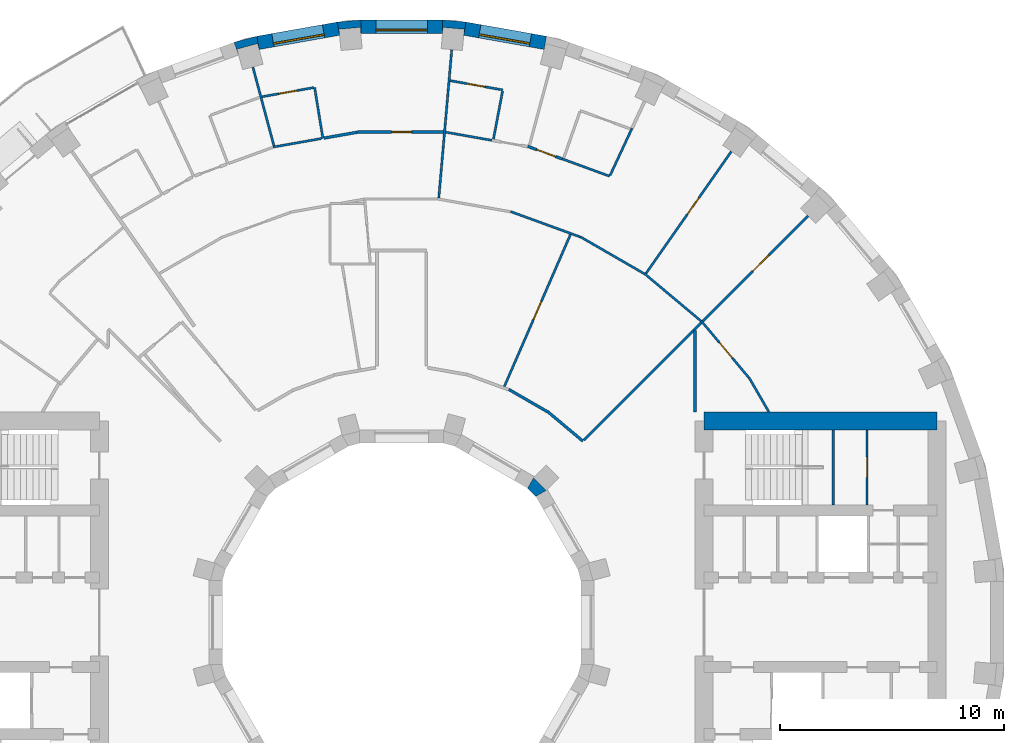
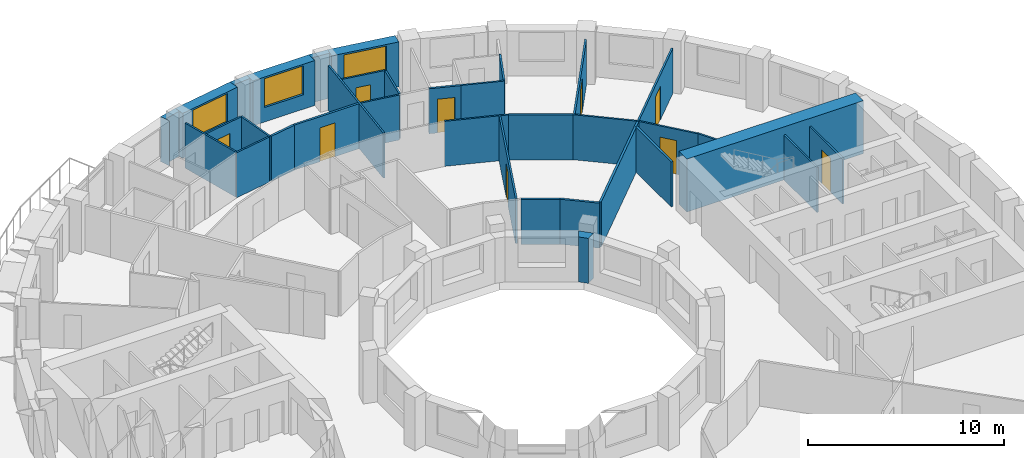
# One storey, part 12 of 14: 35 walls, 9 doors, 3 windows, 12 openings.
"""IFC4 building model written with IfcOpenShell, lengths in metres."""

from ifc_helpers import new_model, si_unit, direction, frame, frame_2d, origin, place, context, subcontext, project, spatial, polyline, rectangle, outline, extrude, material, layer, layer_set, type_object, element, fill, save


model = new_model("IFC4")

# Units and contexts
model_context = context("Model", 3, precision=1e-05, world=origin(), true_north=direction((0.0, 1.0)))
body_context = subcontext(model_context, "Body", "Model", "MODEL_VIEW")
ifc_project = project(units=[si_unit("LENGTHUNIT", "METRE"), si_unit("AREAUNIT", "SQUARE_METRE"), si_unit("VOLUMEUNIT", "CUBIC_METRE"), si_unit("PLANEANGLEUNIT", "RADIAN"), si_unit("MASSUNIT", "GRAM", prefix="KILO")], contexts=[model_context])

# Site, building, storey
site_placement = place(None, origin())
site = spatial("IfcSite", under=ifc_project, at=site_placement, CompositionType="ELEMENT")
building_placement = place(site_placement, origin())
building = spatial("IfcBuilding", under=site, at=building_placement, Name="Saqina Gate Tower", CompositionType="ELEMENT")
storey_placement = place(building_placement, frame((0.0, 0.0, 101.800048828125)))
storey = spatial("IfcBuildingStorey", under=building, at=storey_placement, Name="L28", CompositionType="ELEMENT", Elevation=101.800048828125)

# Walls
ifc_material_1 = material(Name="Brick masonry (buff)", Category="masonry")
wall_type_1 = type_object("IfcWallType", Name="BRICK PIER COPING BUFF", PredefinedType="SOLIDWALL", material=ifc_material_1)
wall_1_placement = place(storey_placement, origin())
element("IfcWall", 1, at=wall_1_placement, inside=storey, type_object=wall_type_1, Name="Pier cap L28 column 9", PredefinedType="SOLIDWALL", context=body_context, shape_type="SweptSolid", body=[
    extrude(outline(polyline([(2.87451171875, 26.805419921875), (1.823974609375, 26.897216796875), (1.823974609375, 26.29736328125), (1.847412109375, 26.565185546875), (2.793701171875, 26.482421875), (2.770263671875, 26.214599609375), (2.87451171875, 26.805419921875)])), origin(), (0.0, 0.0, 1.0), 2.800048828125),
])
wall_2_placement = place(storey_placement, origin())
element("IfcWall", 2, at=wall_2_placement, inside=storey, type_object=wall_type_1, Name="Pier cap L28 column 10", PredefinedType="SOLIDWALL", context=body_context, shape_type="SweptSolid", body=[
    extrude(outline(polyline([(-2.87451171875, 26.805419921875), (-2.770263671875, 26.214599609375), (-2.793701171875, 26.482421875), (-1.847412109375, 26.565185546875), (-1.823974609375, 26.29736328125), (-1.823974609375, 26.897216796875), (-2.87451171875, 26.805419921875)])), origin(), (0.0, 0.0, 1.0), 2.800048828125),
])
wall_3_placement = place(storey_placement, origin())
element("IfcWall", 3, at=wall_3_placement, inside=storey, type_object=wall_type_1, Name="Pier cap L28 column 11", PredefinedType="SOLIDWALL", context=body_context, shape_type="SweptSolid", body=[
    extrude(outline(polyline([(-6.466796875, 26.171875), (-7.485595703125, 25.89892578125), (-7.2802734375, 25.335205078125), (-7.349853515625, 25.5947265625), (-6.43212890625, 25.8408203125), (-6.36279296875, 25.5810546875), (-6.466796875, 26.171875)])), origin(), (0.0, 0.0, 1.0), 2.800048828125),
])

# Wall, opening, door
ifc_material_2 = material(Name="Gypsum board on steel studs", Category="steel")
ifc_layer_1 = layer(ifc_material_2, 0.10009765625)
ifc_layer_set_1 = layer_set([ifc_layer_1], Name="CORE PARTITION")
wall_type_2 = type_object("IfcWallType", Name="CORE PARTITION", PredefinedType="PARTITIONING", material=ifc_layer_set_1)
wall_4_placement = place(storey_placement, frame((20.782958984375, 5.25, 0.0), z_axis=(0.0, 0.0, 1.0), x_axis=(0.0, 1.0, 0.0)))
wall_4 = element("IfcWall", 4, at=wall_4_placement, inside=storey, type_object=wall_type_2, Name="L28-CP-E14", PredefinedType="PARTITIONING", context=body_context, shape_type="SweptSolid", body=[
    extrude(rectangle(XDim=3.35009765625, YDim=0.10009765625, at=frame_2d((1.675048828125, 0.0))), origin(), (0.0, 0.0, 1.0), 2.800048828125),
])
opening_1_placement = place(wall_4_placement, frame((1.22509765625, 0.0, 0.0)))
opening_1 = element("IfcOpeningElement", 5, at=opening_1_placement, cuts=wall_4, Name="Opening G08-D100", PredefinedType="OPENING", context=body_context, shape_type="SweptSolid", body=[
    extrude(rectangle(XDim=0.89990234375, YDim=2.10009765625, at=frame_2d((0.449951171875, 1.050048828125))), frame((0.0, 0.06201171875, 0.0), z_axis=(0.0, -1.0, 0.0), x_axis=(1.0, 0.0, 0.0)), (0.0, 0.0, 1.0), 0.1240234375),
])
ifc_material_3 = material(Name="Steel-framed fire door leaf, EI 60", Category="steel")
door_type_1 = type_object("IfcDoorType", Name="SERVICE ROOM DOOR 900", OperationType="SINGLE_SWING_LEFT", PredefinedType="DOOR", material=ifc_material_3)
door_1_placement = place(opening_1_placement, frame((0.89990234375, 0.0, 0.0), z_axis=(0.0, 0.0, 1.0), x_axis=(-1.0, 0.0, 0.0)))
door_1 = element("IfcDoor", 6, at=door_1_placement, inside=storey, type_object=door_type_1, Name="L28-CD-E11", OperationType="SINGLE_SWING_LEFT", OverallHeight=2.10009765625, OverallWidth=0.89990234375, PredefinedType="DOOR", context=body_context, shape_type="SweptSolid", body=[
    extrude(rectangle(XDim=0.89990234375, YDim=2.10009765625, at=frame_2d((0.449951171875, 1.050048828125))), frame((0.0, 0.02490234375, 0.0), z_axis=(0.0, -1.0, 0.0), x_axis=(1.0, 0.0, 0.0)), (0.0, 0.0, 1.0), 0.050048828125),
])
fill(opening_1, door_1)

# Wall, opening, window
ifc_material_4 = material(Name="Brick masonry (buff)", Category="masonry")
ifc_layer_2 = layer(ifc_material_4, 0.60009765625)
ifc_layer_set_2 = layer_set([ifc_layer_2], Name="FW-BRICK-BUFF")
wall_type_3 = type_object("IfcWallType", Name="FW-BRICK-BUFF", PredefinedType="SOLIDWALL", material=ifc_layer_set_2)
wall_5_placement = place(storey_placement, frame((6.414794921875, 25.87646484375, 0.0), z_axis=(0.0, 0.0, 1.0), x_axis=(-0.984803764455, 0.173670796382, 0.0)))
wall_5 = element("IfcWall", 7, at=wall_5_placement, inside=storey, type_object=wall_type_3, Name="Facade wall L28 facet 8", PredefinedType="SOLIDWALL", context=body_context, shape_type="SweptSolid", body=[
    extrude(rectangle(XDim=3.64794921875, YDim=0.60009765625, at=frame_2d((1.823974609375, 0.0))), origin(), (0.0, 0.0, 1.0), 2.800048828125),
])
opening_2_placement = place(wall_5_placement, frame((0.673828125, 0.0, 0.89990234375)))
opening_2 = element("IfcOpeningElement", 8, at=opening_2_placement, cuts=wall_5, Name="Opening G08-W06", PredefinedType="OPENING", context=body_context, shape_type="SweptSolid", body=[
    extrude(rectangle(XDim=2.300048828125, YDim=1.800048828125, at=frame_2d((1.14990234375, 0.89990234375))), frame((0.0, 0.31201171875, 0.0), z_axis=(0.0, -1.0, 0.0), x_axis=(1.0, 0.0, 0.0)), (0.0, 0.0, 1.0), 0.6240234375),
])
ifc_material_5 = material(Name="Aluminium glazing", Category="aluminium")
window_type = type_object("IfcWindowType", Name="WN-B", PartitioningType="SINGLE_PANEL", PredefinedType="WINDOW", material=ifc_material_5)
window_1_placement = place(opening_2_placement, origin())
window_1 = element("IfcWindow", 9, at=window_1_placement, inside=storey, type_object=window_type, Name="Window L28 facet 8", OverallHeight=1.800048828125, OverallWidth=2.300048828125, PartitioningType="SINGLE_PANEL", PredefinedType="WINDOW", context=body_context, shape_type="SweptSolid", body=[
    extrude(rectangle(XDim=2.300048828125, YDim=1.800048828125, at=frame_2d((1.14990234375, 0.89990234375))), frame((0.0, 0.179931640625, 0.0), z_axis=(0.0, -1.0, 0.0), x_axis=(1.0, 0.0, 0.0)), (0.0, 0.0, 1.0), 0.06005859375),
])
fill(opening_2, window_1)

wall_6_placement = place(storey_placement, frame((1.823974609375, 26.59716796875, 0.0), z_axis=(0.0, 0.0, 1.0), x_axis=(-1.0, 0.0, 0.0)))
wall_6 = element("IfcWall", 10, at=wall_6_placement, inside=storey, type_object=wall_type_3, Name="Facade wall L28 facet 9", PredefinedType="SOLIDWALL", context=body_context, shape_type="SweptSolid", body=[
    extrude(rectangle(XDim=3.64794921875, YDim=0.60009765625, at=frame_2d((1.823974609375, 0.0))), origin(), (0.0, 0.0, 1.0), 2.800048828125),
])
opening_3_placement = place(wall_6_placement, frame((0.673828125, 0.0, 0.89990234375)))
opening_3 = element("IfcOpeningElement", 11, at=opening_3_placement, cuts=wall_6, Name="Opening G08-W07", PredefinedType="OPENING", context=body_context, shape_type="SweptSolid", body=[
    extrude(rectangle(XDim=2.300048828125, YDim=1.800048828125, at=frame_2d((1.14990234375, 0.89990234375))), frame((0.0, 0.31201171875, 0.0), z_axis=(0.0, -1.0, 0.0), x_axis=(1.0, 0.0, 0.0)), (0.0, 0.0, 1.0), 0.6240234375),
])
window_2_placement = place(opening_3_placement, origin())
window_2 = element("IfcWindow", 12, at=window_2_placement, inside=storey, type_object=window_type, Name="Window L28 facet 9", OverallHeight=1.800048828125, OverallWidth=2.300048828125, PartitioningType="SINGLE_PANEL", PredefinedType="WINDOW", context=body_context, shape_type="SweptSolid", body=[
    extrude(rectangle(XDim=2.300048828125, YDim=1.800048828125, at=frame_2d((1.14990234375, 0.89990234375))), frame((0.0, 0.179931640625, 0.0), z_axis=(0.0, -1.0, 0.0), x_axis=(1.0, 0.0, 0.0)), (0.0, 0.0, 1.0), 0.06005859375),
])
fill(opening_3, window_2)

wall_7_placement = place(storey_placement, frame((-2.822265625, 26.510009765625, 0.0), z_axis=(0.0, 0.0, 1.0), x_axis=(-0.984803764455, -0.173670796382, 0.0)))
wall_7 = element("IfcWall", 13, at=wall_7_placement, inside=storey, type_object=wall_type_3, Name="Facade wall L28 facet 10", PredefinedType="SOLIDWALL", context=body_context, shape_type="SweptSolid", body=[
    extrude(rectangle(XDim=3.64794921875, YDim=0.60009765625, at=frame_2d((1.823974609375, 0.0))), origin(), (0.0, 0.0, 1.0), 2.800048828125),
])
opening_4_placement = place(wall_7_placement, frame((0.673828125, 0.0, 0.89990234375)))
opening_4 = element("IfcOpeningElement", 14, at=opening_4_placement, cuts=wall_7, Name="Opening G08-W08", PredefinedType="OPENING", context=body_context, shape_type="SweptSolid", body=[
    extrude(rectangle(XDim=2.300048828125, YDim=1.800048828125, at=frame_2d((1.14990234375, 0.89990234375))), frame((0.0, 0.31201171875, 0.0), z_axis=(0.0, -1.0, 0.0), x_axis=(1.0, 0.0, 0.0)), (0.0, 0.0, 1.0), 0.6240234375),
])
window_3_placement = place(opening_4_placement, origin())
window_3 = element("IfcWindow", 15, at=window_3_placement, inside=storey, type_object=window_type, Name="Window L28 facet 10", OverallHeight=1.800048828125, OverallWidth=2.300048828125, PartitioningType="SINGLE_PANEL", PredefinedType="WINDOW", context=body_context, shape_type="SweptSolid", body=[
    extrude(rectangle(XDim=2.300048828125, YDim=1.800048828125, at=frame_2d((1.14990234375, 0.89990234375))), frame((0.0, 0.179931640625, 0.0), z_axis=(0.0, -1.0, 0.0), x_axis=(1.0, 0.0, 0.0)), (0.0, 0.0, 1.0), 0.06005859375),
])
fill(opening_4, window_3)

# Walls
ifc_material_6 = material(Name="Gypsum board on steel studs, 100 mm", Category="steel")
ifc_layer_3 = layer(ifc_material_6, 0.10009765625)
ifc_layer_set_3 = layer_set([ifc_layer_3], Name="PARTITION 100")
wall_type_4 = type_object("IfcWallType", Name="PARTITION 100", PredefinedType="PARTITIONING", material=ifc_layer_set_3)
wall_8_placement = place(storey_placement, frame((-3.886962890625, 23.885009765625, 0.0), z_axis=(0.0, 0.0, 1.0), x_axis=(0.160403826344, -0.987051474085, 0.0)))
element("IfcWall", 16, at=wall_8_placement, inside=storey, type_object=wall_type_4, Name="PARTITION PW3-03", PredefinedType="PARTITIONING", context=body_context, shape_type="SweptSolid", body=[
    extrude(rectangle(XDim=2.2998046875, YDim=0.10009765625, at=frame_2d((1.14990234375, 0.0))), origin(), (0.0, 0.0, 1.0), 2.800048828125),
])
wall_9_placement = place(storey_placement, frame((-6.642333984375, 24.79052734375, 0.0), z_axis=(0.0, 0.0, 1.0), x_axis=(0.258373404153, -0.966045125254, 0.0)))
element("IfcWall", 17, at=wall_9_placement, inside=storey, type_object=wall_type_4, Name="PARTITION PW3-07", PredefinedType="PARTITIONING", context=body_context, shape_type="SweptSolid", body=[
    extrude(rectangle(XDim=3.634033203125, YDim=0.10009765625, at=frame_2d((1.81689453125, 0.0))), origin(), (0.0, 0.0, 1.0), 2.800048828125),
])
wall_10_placement = place(storey_placement, frame((15.5146484375, 10.925048828125, 0.0), z_axis=(0.0, 0.0, 1.0), x_axis=(0.500277597875, -0.865865073245, 0.0)))
element("IfcWall", 18, at=wall_10_placement, inside=storey, type_object=wall_type_4, Name="PARTITION PW3-16", PredefinedType="PARTITIONING", context=body_context, shape_type="SweptSolid", body=[
    extrude(rectangle(XDim=1.763671875, YDim=0.10009765625, at=frame_2d((0.8818359375, 0.0))), origin(), (0.0, 0.0, 1.0), 2.800048828125),
])

# Wall, opening, door
wall_11_placement = place(storey_placement, frame((13.38232421875, 13.453857421875, 0.0), z_axis=(0.0, 0.0, 1.0), x_axis=(0.642584306873, -0.766214988473, 0.0)))
wall_11 = element("IfcWall", 19, at=wall_11_placement, inside=storey, type_object=wall_type_4, Name="PARTITION PW3-20", PredefinedType="PARTITIONING", context=body_context, shape_type="SweptSolid", body=[
    extrude(rectangle(XDim=3.3076171875, YDim=0.10009765625, at=frame_2d((1.65380859375, 0.0))), origin(), (0.0, 0.0, 1.0), 2.800048828125),
])
opening_5_placement = place(wall_11_placement, frame((1.25439453125, 0.0, 0.0)))
opening_5 = element("IfcOpeningElement", 20, at=opening_5_placement, cuts=wall_11, Name="Opening G08-D01", PredefinedType="OPENING", context=body_context, shape_type="SweptSolid", body=[
    extrude(rectangle(XDim=0.89990234375, YDim=2.10009765625, at=frame_2d((0.449951171875, 1.050048828125))), frame((0.0, 0.06201171875, 0.0), z_axis=(0.0, -1.0, 0.0), x_axis=(1.0, 0.0, 0.0)), (0.0, 0.0, 1.0), 0.1240234375),
])
ifc_material_7 = material(Name="Timber door leaf, 900 mm", Category="wood")
door_type_2 = type_object("IfcDoorType", Name="DOOR 900 TIMBER", OperationType="SINGLE_SWING_LEFT", PredefinedType="DOOR", material=ifc_material_7)
door_2_placement = place(opening_5_placement, origin())
door_2 = element("IfcDoor", 21, at=door_2_placement, inside=storey, type_object=door_type_2, Name="DOOR G08-D01", OperationType="SINGLE_SWING_RIGHT", OverallHeight=2.10009765625, OverallWidth=0.89990234375, PredefinedType="DOOR", context=body_context, shape_type="SweptSolid", body=[
    extrude(rectangle(XDim=0.89990234375, YDim=2.10009765625, at=frame_2d((0.449951171875, 1.050048828125))), frame((0.0, 0.02490234375, 0.0), z_axis=(0.0, -1.0, 0.0), x_axis=(1.0, 0.0, 0.0)), (0.0, 0.0, 1.0), 0.050048828125),
])
fill(opening_5, door_2)

# Walls
wall_12_placement = place(storey_placement, frame((10.842041015625, 15.572509765625, 0.0), z_axis=(0.0, 0.0, 1.0), x_axis=(0.76624546285, -0.642547967595, 0.0)))
element("IfcWall", 22, at=wall_12_placement, inside=storey, type_object=wall_type_4, Name="PARTITION PW3-26", PredefinedType="PARTITIONING", context=body_context, shape_type="SweptSolid", body=[
    extrude(rectangle(XDim=3.307861328125, YDim=0.10009765625, at=frame_2d((1.65380859375, 0.0))), origin(), (0.0, 0.0, 1.0), 2.800048828125),
])
wall_13_placement = place(storey_placement, frame((7.97412109375, 17.219482421875, 0.0), z_axis=(0.0, 0.0, 1.0), x_axis=(0.865857256379, -0.500291126821, 0.0)))
element("IfcWall", 23, at=wall_13_placement, inside=storey, type_object=wall_type_4, Name="PARTITION PW3-31", PredefinedType="PARTITIONING", context=body_context, shape_type="SweptSolid", body=[
    extrude(rectangle(XDim=3.30712890625, YDim=0.10009765625, at=frame_2d((1.653564453125, 0.0))), origin(), (0.0, 0.0, 1.0), 2.800048828125),
])
wall_14_placement = place(storey_placement, frame((7.171630859375, 20.69482421875, 0.0), z_axis=(0.0, 0.0, 1.0), x_axis=(0.939171474452, -0.343448601069, 0.0)))
element("IfcWall", 24, at=wall_14_placement, inside=storey, type_object=wall_type_4, Name="PARTITION PW3-32", PredefinedType="PARTITIONING", context=body_context, shape_type="SweptSolid", body=[
    extrude(rectangle(XDim=2.251953125, YDim=0.10009765625, at=frame_2d((1.1259765625, 0.0))), origin(), (0.0, 0.0, 1.0), 2.800048828125),
])
wall_15_placement = place(storey_placement, frame((4.862548828125, 18.34375, 0.0), z_axis=(0.0, 0.0, 1.0), x_axis=(0.939551875713, -0.342406589955, 0.0)))
element("IfcWall", 25, at=wall_15_placement, inside=storey, type_object=wall_type_4, Name="PARTITION PW3-35", PredefinedType="PARTITIONING", context=body_context, shape_type="SweptSolid", body=[
    extrude(rectangle(XDim=3.308349609375, YDim=0.10009765625, at=frame_2d((1.654296875, 0.0))), origin(), (0.0, 0.0, 1.0), 2.800048828125),
])
wall_16_placement = place(storey_placement, frame((1.96533203125, 21.888427734375, 0.0), z_axis=(0.0, 0.0, 1.0), x_axis=(0.984784733711, -0.173778676048, 0.0)))
element("IfcWall", 26, at=wall_16_placement, inside=storey, type_object=wall_type_4, Name="PARTITION PW3-40", PredefinedType="PARTITIONING", context=body_context, shape_type="SweptSolid", body=[
    extrude(rectangle(XDim=2.091796875, YDim=0.10009765625, at=frame_2d((1.0458984375, 0.0))), origin(), (0.0, 0.0, 1.0), 2.800048828125),
])

# Wall, opening, door
wall_17_placement = place(storey_placement, frame((2.166259765625, 24.188232421875, 0.0), z_axis=(0.0, 0.0, 1.0), x_axis=(0.984810328334, -0.173633571655, 0.0)))
wall_17 = element("IfcWall", 27, at=wall_17_placement, inside=storey, type_object=wall_type_4, Name="PARTITION PW3-41", PredefinedType="PARTITIONING", context=body_context, shape_type="SweptSolid", body=[
    extrude(rectangle(XDim=2.385986328125, YDim=0.10009765625, at=frame_2d((1.19287109375, 0.0))), origin(), (0.0, 0.0, 1.0), 2.800048828125),
])
opening_6_placement = place(wall_17_placement, frame((0.76806640625, 0.0, 0.0)))
opening_6 = element("IfcOpeningElement", 28, at=opening_6_placement, cuts=wall_17, Name="Opening G08-D08", PredefinedType="OPENING", context=body_context, shape_type="SweptSolid", body=[
    extrude(rectangle(XDim=0.800048828125, YDim=2.10009765625, at=frame_2d((0.39990234375, 1.050048828125))), frame((0.0, 0.06201171875, 0.0), z_axis=(0.0, -1.0, 0.0), x_axis=(1.0, 0.0, 0.0)), (0.0, 0.0, 1.0), 0.1240234375),
])
ifc_material_8 = material(Name="Timber door leaf, 800 mm", Category="wood")
door_type_3 = type_object("IfcDoorType", Name="DOOR 800 TIMBER", OperationType="SINGLE_SWING_LEFT", PredefinedType="DOOR", material=ifc_material_8)
door_3_placement = place(opening_6_placement, origin())
door_3 = element("IfcDoor", 29, at=door_3_placement, inside=storey, type_object=door_type_3, Name="DOOR G08-D08", OperationType="SINGLE_SWING_LEFT", OverallHeight=2.10009765625, OverallWidth=0.800048828125, PredefinedType="DOOR", context=body_context, shape_type="SweptSolid", body=[
    extrude(rectangle(XDim=0.800048828125, YDim=2.10009765625, at=frame_2d((0.39990234375, 1.050048828125))), frame((0.0, 0.02490234375, 0.0), z_axis=(0.0, -1.0, 0.0), x_axis=(1.0, 0.0, 0.0)), (0.0, 0.0, 1.0), 0.050048828125),
])
fill(opening_6, door_3)

# Wall
wall_18_placement = place(storey_placement, frame((-5.739013671875, 21.22314453125, 0.0), z_axis=(0.0, 0.0, 1.0), x_axis=(0.984781317039, 0.173798036845, 0.0)))
element("IfcWall", 30, at=wall_18_placement, inside=storey, type_object=wall_type_4, Name="PARTITION PW3-52", PredefinedType="PARTITIONING", context=body_context, shape_type="SweptSolid", body=[
    extrude(rectangle(XDim=2.19287109375, YDim=0.10009765625, at=frame_2d((1.096435546875, 0.0))), origin(), (0.0, 0.0, 1.0), 2.800048828125),
])

# Wall, opening, door
wall_19_placement = place(storey_placement, frame((-6.23779296875, 23.470703125, 0.0), z_axis=(0.0, 0.0, 1.0), x_axis=(0.984817208654, 0.173594543518, 0.0)))
wall_19 = element("IfcWall", 31, at=wall_19_placement, inside=storey, type_object=wall_type_4, Name="PARTITION PW3-53", PredefinedType="PARTITIONING", context=body_context, shape_type="SweptSolid", body=[
    extrude(rectangle(XDim=2.3359375, YDim=0.10009765625, at=frame_2d((1.16796875, 0.0))), origin(), (0.0, 0.0, 1.0), 2.800048828125),
])
opening_7_placement = place(wall_19_placement, frame((0.767578125, 0.0, 0.0)))
opening_7 = element("IfcOpeningElement", 32, at=opening_7_placement, cuts=wall_19, Name="Opening G08-D12", PredefinedType="OPENING", context=body_context, shape_type="SweptSolid", body=[
    extrude(rectangle(XDim=0.800048828125, YDim=2.10009765625, at=frame_2d((0.39990234375, 1.050048828125))), frame((0.0, 0.06201171875, 0.0), z_axis=(0.0, -1.0, 0.0), x_axis=(1.0, 0.0, 0.0)), (0.0, 0.0, 1.0), 0.1240234375),
])
door_4_placement = place(opening_7_placement, origin())
door_4 = element("IfcDoor", 33, at=door_4_placement, inside=storey, type_object=door_type_3, Name="DOOR G08-D12", OperationType="SINGLE_SWING_LEFT", OverallHeight=2.10009765625, OverallWidth=0.800048828125, PredefinedType="DOOR", context=body_context, shape_type="SweptSolid", body=[
    extrude(rectangle(XDim=0.800048828125, YDim=2.10009765625, at=frame_2d((0.39990234375, 1.050048828125))), frame((0.0, 0.02490234375, 0.0), z_axis=(0.0, -1.0, 0.0), x_axis=(1.0, 0.0, 0.0)), (0.0, 0.0, 1.0), 0.050048828125),
])
fill(opening_7, door_4)

wall_20_placement = place(storey_placement, frame((13.450439453125, 13.450439453125, 0.0), z_axis=(0.0, 0.0, 1.0), x_axis=(0.707106781187, 0.707106781187, 0.0)))
wall_20 = element("IfcWall", 34, at=wall_20_placement, inside=storey, type_object=wall_type_4, Name="PARTITION PW3-72", PredefinedType="PARTITIONING", context=body_context, shape_type="SweptSolid", body=[
    extrude(rectangle(XDim=6.643310546875, YDim=0.10009765625, at=frame_2d((3.32177734375, 0.0))), origin(), (0.0, 0.0, 1.0), 2.800048828125),
])
opening_8_placement = place(wall_20_placement, frame((3.163818359375, 0.0, 0.0)))
opening_8 = element("IfcOpeningElement", 35, at=opening_8_placement, cuts=wall_20, Name="Opening G08-D02", PredefinedType="OPENING", context=body_context, shape_type="SweptSolid", body=[
    extrude(rectangle(XDim=1.0, YDim=2.10009765625, at=frame_2d((0.5, 1.050048828125))), frame((0.0, 0.06201171875, 0.0), z_axis=(0.0, -1.0, 0.0), x_axis=(1.0, 0.0, 0.0)), (0.0, 0.0, 1.0), 0.1240234375),
])
ifc_material_9 = material(Name="Timber door leaf, 1000 mm", Category="wood")
door_type_4 = type_object("IfcDoorType", Name="DOOR 1000 TIMBER", OperationType="SINGLE_SWING_LEFT", PredefinedType="DOOR", material=ifc_material_9)
door_5_placement = place(opening_8_placement, frame((1.0, 0.0, 0.0), z_axis=(0.0, 0.0, 1.0), x_axis=(-1.0, 0.0, 0.0)))
door_5 = element("IfcDoor", 36, at=door_5_placement, inside=storey, type_object=door_type_4, Name="DOOR G08-D02", OperationType="SINGLE_SWING_LEFT", OverallHeight=2.10009765625, OverallWidth=1.0, PredefinedType="DOOR", context=body_context, shape_type="SweptSolid", body=[
    extrude(rectangle(XDim=1.0, YDim=2.10009765625, at=frame_2d((0.5, 1.050048828125))), frame((0.0, 0.02490234375, 0.0), z_axis=(0.0, -1.0, 0.0), x_axis=(1.0, 0.0, 0.0)), (0.0, 0.0, 1.0), 0.050048828125),
])
fill(opening_8, door_5)

wall_21_placement = place(storey_placement, frame((10.90966796875, 15.5810546875, 0.0), z_axis=(0.0, 0.0, 1.0), x_axis=(0.573558519574, 0.819164589459, 0.0)))
wall_21 = element("IfcWall", 37, at=wall_21_placement, inside=storey, type_object=wall_type_4, Name="PARTITION PW3-78", PredefinedType="PARTITIONING", context=body_context, shape_type="SweptSolid", body=[
    extrude(rectangle(XDim=6.64404296875, YDim=0.10009765625, at=frame_2d((3.322021484375, 0.0))), origin(), (0.0, 0.0, 1.0), 2.800048828125),
])
opening_9_placement = place(wall_21_placement, frame((3.214599609375, 0.0, 0.0)))
opening_9 = element("IfcOpeningElement", 38, at=opening_9_placement, cuts=wall_21, Name="Opening G08-D03", PredefinedType="OPENING", context=body_context, shape_type="SweptSolid", body=[
    extrude(rectangle(XDim=0.89990234375, YDim=2.10009765625, at=frame_2d((0.449951171875, 1.050048828125))), frame((0.0, 0.06201171875, 0.0), z_axis=(0.0, -1.0, 0.0), x_axis=(1.0, 0.0, 0.0)), (0.0, 0.0, 1.0), 0.1240234375),
])
door_6_placement = place(opening_9_placement, origin())
door_6 = element("IfcDoor", 39, at=door_6_placement, inside=storey, type_object=door_type_2, Name="DOOR G08-D03", OperationType="SINGLE_SWING_RIGHT", OverallHeight=2.10009765625, OverallWidth=0.89990234375, PredefinedType="DOOR", context=body_context, shape_type="SweptSolid", body=[
    extrude(rectangle(XDim=0.89990234375, YDim=2.10009765625, at=frame_2d((0.449951171875, 1.050048828125))), frame((0.0, 0.02490234375, 0.0), z_axis=(0.0, -1.0, 0.0), x_axis=(1.0, 0.0, 0.0)), (0.0, 0.0, 1.0), 0.050048828125),
])
fill(opening_9, door_6)

# Wall
wall_22_placement = place(storey_placement, frame((9.31103515625, 19.96630859375, 0.0), z_axis=(0.0, 0.0, 1.0), x_axis=(0.422300754366, 0.906455775458, 0.0)))
element("IfcWall", 40, at=wall_22_placement, inside=storey, type_object=wall_type_4, Name="PARTITION PW3-84", PredefinedType="PARTITIONING", context=body_context, shape_type="SweptSolid", body=[
    extrude(rectangle(XDim=2.30908203125, YDim=0.10009765625, at=frame_2d((1.154541015625, 0.0))), origin(), (0.0, 0.0, 1.0), 2.800048828125),
])

# Wall, opening, door
wall_23_placement = place(storey_placement, frame((4.583740234375, 10.529296875, 0.0), z_axis=(0.0, 0.0, 1.0), x_axis=(0.39900110087, 0.916950446592, 0.0)))
wall_23 = element("IfcWall", 41, at=wall_23_placement, inside=storey, type_object=wall_type_4, Name="PARTITION PW3-85", PredefinedType="PARTITIONING", context=body_context, shape_type="SweptSolid", body=[
    extrude(rectangle(XDim=7.4013671875, YDim=0.10009765625, at=frame_2d((3.70068359375, 0.0))), origin(), (0.0, 0.0, 1.0), 2.800048828125),
])
opening_10_placement = place(wall_23_placement, frame((3.243408203125, 0.0, 0.0)))
opening_10 = element("IfcOpeningElement", 42, at=opening_10_placement, cuts=wall_23, Name="Opening G08-D04", PredefinedType="OPENING", context=body_context, shape_type="SweptSolid", body=[
    extrude(rectangle(XDim=0.89990234375, YDim=2.10009765625, at=frame_2d((0.449951171875, 1.050048828125))), frame((0.0, 0.06201171875, 0.0), z_axis=(0.0, -1.0, 0.0), x_axis=(1.0, 0.0, 0.0)), (0.0, 0.0, 1.0), 0.1240234375),
])
door_7_placement = place(opening_10_placement, origin())
door_7 = element("IfcDoor", 43, at=door_7_placement, inside=storey, type_object=door_type_2, Name="DOOR G08-D04", OperationType="SINGLE_SWING_LEFT", OverallHeight=2.10009765625, OverallWidth=0.89990234375, PredefinedType="DOOR", context=body_context, shape_type="SweptSolid", body=[
    extrude(rectangle(XDim=0.89990234375, YDim=2.10009765625, at=frame_2d((0.449951171875, 1.050048828125))), frame((0.0, 0.02490234375, 0.0), z_axis=(0.0, -1.0, 0.0), x_axis=(1.0, 0.0, 0.0)), (0.0, 0.0, 1.0), 0.050048828125),
])
fill(opening_10, door_7)

# Walls
wall_24_placement = place(storey_placement, frame((4.0986328125, 21.575439453125, 0.0), z_axis=(0.0, 0.0, 1.0), x_axis=(0.186471082638, 0.982460449759, 0.0)))
element("IfcWall", 44, at=wall_24_placement, inside=storey, type_object=wall_type_4, Name="PARTITION PW3-91", PredefinedType="PARTITIONING", context=body_context, shape_type="SweptSolid", body=[
    extrude(rectangle(XDim=2.187744140625, YDim=0.10009765625, at=frame_2d((1.09375, 0.0))), origin(), (0.0, 0.0, 1.0), 2.800048828125),
])
wall_25_placement = place(storey_placement, frame((1.658447265625, 18.94873046875, 0.0), z_axis=(0.0, 0.0, 1.0), x_axis=(0.087052988713, 0.996203682565, 0.0)))
element("IfcWall", 45, at=wall_25_placement, inside=storey, type_object=wall_type_4, Name="PARTITION PW3-92", PredefinedType="PARTITIONING", context=body_context, shape_type="SweptSolid", body=[
    extrude(rectangle(XDim=6.643798828125, YDim=0.10009765625, at=frame_2d((3.32177734375, 0.0))), origin(), (0.0, 0.0, 1.0), 2.800048828125),
])
ifc_material_10 = material(Name="Gypsum board on steel studs, 125 mm, fire rated", Category="steel")
ifc_layer_4 = layer(ifc_material_10, 0.125)
ifc_layer_set_4 = layer_set([ifc_layer_4], Name="PARTITION EI 30 125")
wall_type_5 = type_object("IfcWallType", Name="PARTITION EI 30 125", PredefinedType="PARTITIONING", material=ifc_layer_set_4)
wall_26_placement = place(storey_placement, frame((6.515380859375, 9.414794921875, 0.0), z_axis=(0.0, 0.0, 1.0), x_axis=(0.766097328455, -0.642724578131, 0.0)))
element("IfcWall", 46, at=wall_26_placement, inside=storey, type_object=wall_type_5, Name="PARTITION PW1-14", PredefinedType="PARTITIONING", context=body_context, shape_type="SweptSolid", body=[
    extrude(rectangle(XDim=2.05810546875, YDim=0.125, at=frame_2d((1.029052734375, 0.0))), origin(), (0.0, 0.0, 1.0), 2.800048828125),
])
wall_27_placement = place(storey_placement, frame((4.781005859375, 10.40283203125, 0.0), z_axis=(0.0, 0.0, 1.0), x_axis=(0.866173368732, -0.499743629573, 0.0)))
element("IfcWall", 47, at=wall_27_placement, inside=storey, type_object=wall_type_5, Name="PARTITION PW1-17", PredefinedType="PARTITIONING", context=body_context, shape_type="SweptSolid", body=[
    extrude(rectangle(XDim=1.99609375, YDim=0.125, at=frame_2d((0.998046875, 0.0))), origin(), (0.0, 0.0, 1.0), 2.800048828125),
])

# Wall, opening, door
wall_28_placement = place(storey_placement, frame((5.62939453125, 21.253662109375, 0.0), z_axis=(0.0, 0.0, 1.0), x_axis=(0.939793423488, -0.341743063087, 0.0)))
wall_28 = element("IfcWall", 48, at=wall_28_placement, inside=storey, type_object=wall_type_5, Name="PARTITION PW1-21", PredefinedType="PARTITIONING", context=body_context, shape_type="SweptSolid", body=[
    extrude(rectangle(XDim=1.64013671875, YDim=0.125, at=frame_2d((0.820068359375, 0.0))), origin(), (0.0, 0.0, 1.0), 2.800048828125),
])
opening_11_placement = place(wall_28_placement, frame((0.427490234375, 0.0, 0.0)))
opening_11 = element("IfcOpeningElement", 49, at=opening_11_placement, cuts=wall_28, Name="Opening G08-D06", PredefinedType="OPENING", context=body_context, shape_type="SweptSolid", body=[
    extrude(rectangle(XDim=0.89990234375, YDim=2.10009765625, at=frame_2d((0.449951171875, 1.050048828125))), frame((0.0, 0.074462890625, 0.0), z_axis=(0.0, -1.0, 0.0), x_axis=(1.0, 0.0, 0.0)), (0.0, 0.0, 1.0), 0.14892578125),
])
ifc_material_11 = material(Name="Fire door leaf EI 30, 900 mm")
door_type_5 = type_object("IfcDoorType", Name="DOOR 900 EI 30", OperationType="SINGLE_SWING_LEFT", PredefinedType="DOOR", material=ifc_material_11)
door_8_placement = place(opening_11_placement, frame((0.89990234375, 0.0, 0.0), z_axis=(0.0, 0.0, 1.0), x_axis=(-1.0, 0.0, 0.0)))
door_8 = element("IfcDoor", 50, at=door_8_placement, inside=storey, type_object=door_type_5, Name="DOOR G08-D06", OperationType="SINGLE_SWING_RIGHT", OverallHeight=2.10009765625, OverallWidth=0.89990234375, PredefinedType="DOOR", context=body_context, shape_type="SweptSolid", body=[
    extrude(rectangle(XDim=0.89990234375, YDim=2.10009765625, at=frame_2d((0.449951171875, 1.050048828125))), frame((0.0, 0.02490234375, 0.0), z_axis=(0.0, -1.0, 0.0), x_axis=(1.0, 0.0, 0.0)), (0.0, 0.0, 1.0), 0.050048828125),
])
fill(opening_11, door_8)

wall_29_placement = place(storey_placement, frame((-1.9794921875, 21.89697265625, 0.0), z_axis=(0.0, 0.0, 1.0), x_axis=(1.0, 0.0, 0.0)))
wall_29 = element("IfcWall", 51, at=wall_29_placement, inside=storey, type_object=wall_type_5, Name="PARTITION PW1-29", PredefinedType="PARTITIONING", context=body_context, shape_type="SweptSolid", body=[
    extrude(rectangle(XDim=3.844482421875, YDim=0.125, at=frame_2d((1.92236328125, 0.0))), origin(), (0.0, 0.0, 1.0), 2.800048828125),
])
opening_12_placement = place(wall_29_placement, frame((1.529052734375, 0.0, 0.0)))
opening_12 = element("IfcOpeningElement", 52, at=opening_12_placement, cuts=wall_29, Name="Opening G08-D09", PredefinedType="OPENING", context=body_context, shape_type="SweptSolid", body=[
    extrude(rectangle(XDim=0.89990234375, YDim=2.10009765625, at=frame_2d((0.449951171875, 1.050048828125))), frame((0.0, 0.074462890625, 0.0), z_axis=(0.0, -1.0, 0.0), x_axis=(1.0, 0.0, 0.0)), (0.0, 0.0, 1.0), 0.14892578125),
])
door_9_placement = place(opening_12_placement, frame((0.89990234375, 0.0, 0.0), z_axis=(0.0, 0.0, 1.0), x_axis=(-1.0, 0.0, 0.0)))
door_9 = element("IfcDoor", 53, at=door_9_placement, inside=storey, type_object=door_type_5, Name="DOOR G08-D09", OperationType="SINGLE_SWING_LEFT", OverallHeight=2.10009765625, OverallWidth=0.89990234375, PredefinedType="DOOR", context=body_context, shape_type="SweptSolid", body=[
    extrude(rectangle(XDim=0.89990234375, YDim=2.10009765625, at=frame_2d((0.449951171875, 1.050048828125))), frame((0.0, 0.02490234375, 0.0), z_axis=(0.0, -1.0, 0.0), x_axis=(1.0, 0.0, 0.0)), (0.0, 0.0, 1.0), 0.050048828125),
])
fill(opening_12, door_9)

# Walls
wall_30_placement = place(storey_placement, frame((-3.46875, 21.62353515625, 0.0), z_axis=(0.0, 0.0, 1.0), x_axis=(0.984977719449, 0.172681476106, 0.0)))
element("IfcWall", 54, at=wall_30_placement, inside=storey, type_object=wall_type_5, Name="PARTITION PW1-30", PredefinedType="PARTITIONING", context=body_context, shape_type="SweptSolid", body=[
    extrude(rectangle(XDim=1.51416015625, YDim=0.125, at=frame_2d((0.757080078125, 0.0))), origin(), (0.0, 0.0, 1.0), 2.800048828125),
])
wall_31_placement = place(storey_placement, frame((8.13623046875, 8.13623046875, 0.0), z_axis=(0.0, 0.0, 1.0), x_axis=(0.707106781187, 0.707106781187, 0.0)))
element("IfcWall", 55, at=wall_31_placement, inside=storey, type_object=wall_type_5, Name="PARTITION PW1-47", PredefinedType="PARTITIONING", context=body_context, shape_type="SweptSolid", body=[
    extrude(rectangle(XDim=7.4150390625, YDim=0.125, at=frame_2d((3.70751953125, 0.0))), origin(), (0.0, 0.0, 1.0), 2.800048828125),
])
wall_32_placement = place(storey_placement, frame((13.10009765625, 9.39990234375, 0.0), z_axis=(0.0, 0.0, 1.0), x_axis=(0.0, 1.0, 0.0)))
element("IfcWall", 56, at=wall_32_placement, inside=storey, type_object=wall_type_5, Name="PARTITION PW1-56", PredefinedType="PARTITIONING", context=body_context, shape_type="SweptSolid", body=[
    extrude(rectangle(XDim=3.6376953125, YDim=0.125, at=frame_2d((1.81884765625, 0.0))), origin(), (0.0, 0.0, 1.0), 2.800048828125),
])
ifc_material_12 = material(Name="Autoclaved aerated concrete block", Category="concrete")
ifc_layer_5 = layer(ifc_material_12, 0.10009765625)
ifc_layer_set_5 = layer_set([ifc_layer_5], Name="STAIR ENCLOSURE WALL")
wall_type_6 = type_object("IfcWallType", Name="STAIR ENCLOSURE WALL", PredefinedType="PARTITIONING", material=ifc_layer_set_5)
wall_33_placement = place(storey_placement, frame((19.27001953125, 5.25, 0.0), z_axis=(0.0, 0.0, 1.0), x_axis=(0.0, 1.0, 0.0)))
element("IfcWall", 57, at=wall_33_placement, inside=storey, type_object=wall_type_6, Name="L28-CP-E13", PredefinedType="PARTITIONING", context=body_context, shape_type="SweptSolid", body=[
    extrude(rectangle(XDim=3.35009765625, YDim=0.10009765625, at=frame_2d((1.675048828125, 0.0))), origin(), (0.0, 0.0, 1.0), 2.800048828125),
])
ifc_material_13 = material(Name="Concrete C70/85", Category="concrete")
ifc_layer_6 = layer(ifc_material_13, 0.800048828125)
ifc_layer_set_6 = layer_set([ifc_layer_6], Name="Concrete C70/85")
wall_type_7 = type_object("IfcWallType", Name="STR-CORE WALL-B-O", PredefinedType="SHEAR", material=ifc_layer_set_6)
wall_34_placement = place(storey_placement, frame((13.5, 9.0, 0.0), z_axis=(0.0, 0.0, 1.0), x_axis=(1.0, 0.0, 0.0)))
element("IfcWall", 58, at=wall_34_placement, inside=storey, type_object=wall_type_7, Name="CORE WALL L28 E-NE", PredefinedType="SHEAR", context=body_context, shape_type="SweptSolid", body=[
    extrude(rectangle(XDim=10.39990234375, YDim=0.800048828125, at=frame_2d((5.199951171875, 0.0))), origin(), (0.0, 0.0, 1.0), 3.300048828125),
])
ifc_material_14 = material(Name="Glazed ceramic tile", Category="ceramic")
wall_type_8 = type_object("IfcWallType", Name="TILE PIER COPING", PredefinedType="SOLIDWALL", material=ifc_material_14)
wall_35_placement = place(storey_placement, origin())
element("IfcWall", 59, at=wall_35_placement, inside=storey, type_object=wall_type_8, Name="Well pier cap L28 column 2", PredefinedType="SOLIDWALL", context=body_context, shape_type="SweptSolid", body=[
    extrude(outline(polyline([(5.891845703125, 6.45751953125), (5.622802734375, 5.991455078125), (5.991455078125, 5.622802734375), (6.45751953125, 5.891845703125), (5.891845703125, 6.45751953125)])), origin(), (0.0, 0.0, 1.0), 2.800048828125),
])

save(model, "model.ifc")
